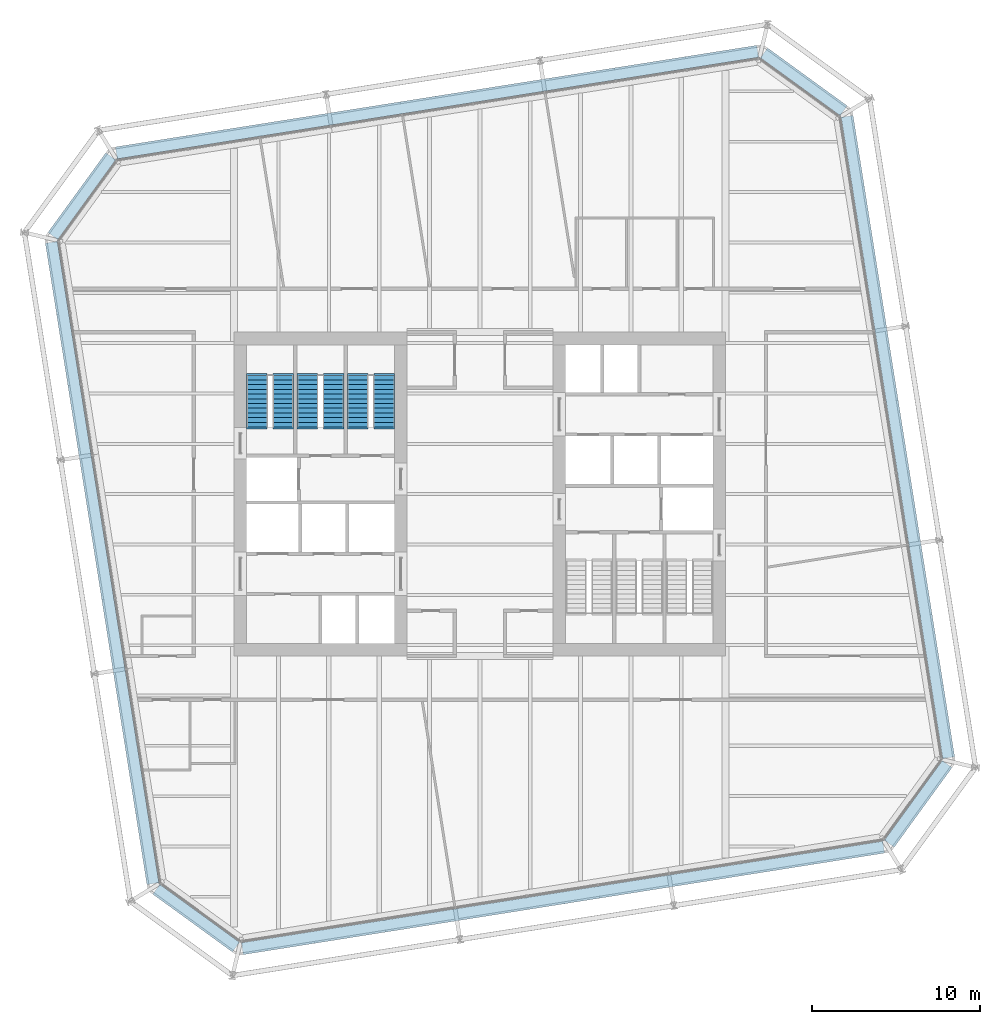
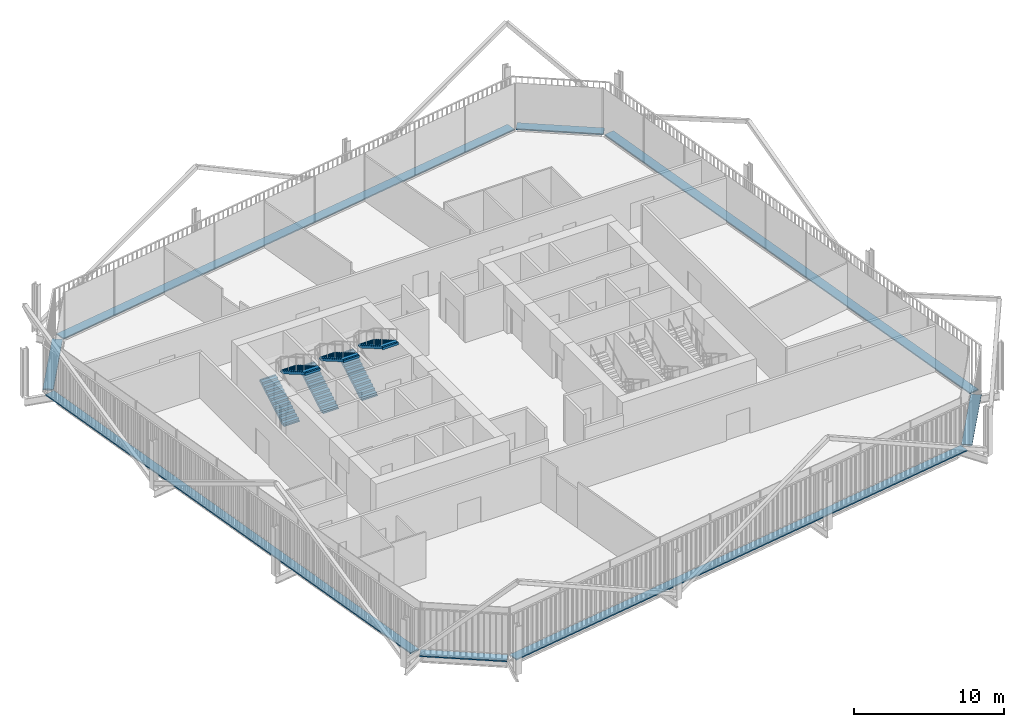
# One storey, part 21 of 22: 8 discrete accessories, 6 stair flights, 3 elements without a shape of their own.
"""IFC4 building model written with IfcOpenShell, lengths in metres."""

from ifc_helpers import new_model, si_unit, direction, frame, origin, origin_2d, place, context, subcontext, project, spatial, polyline, rectangle, outline, extrude, material, type_object, element, aggregate, save


model = new_model("IFC4")

# Units and contexts
model_context = context("Model", 3, precision=1e-05, world=origin(), true_north=direction((0.0, 1.0)))
body_context = subcontext(model_context, "Body", "Model", "MODEL_VIEW")
ifc_project = project(units=[si_unit("LENGTHUNIT", "METRE"), si_unit("AREAUNIT", "SQUARE_METRE"), si_unit("VOLUMEUNIT", "CUBIC_METRE"), si_unit("PLANEANGLEUNIT", "RADIAN"), si_unit("MASSUNIT", "GRAM", prefix="KILO")], contexts=[model_context])

# Site, building, storey
site_placement = place(None, origin())
site = spatial("IfcSite", under=ifc_project, at=site_placement, CompositionType="ELEMENT")
building_placement = place(site_placement, origin())
building = spatial("IfcBuilding", under=site, at=building_placement, Name="Millrace Tower", CompositionType="ELEMENT")
storey_placement = place(building_placement, frame((0.0, 0.0, 160.699951171875)))
storey = spatial("IfcBuildingStorey", under=building, at=storey_placement, Name="L36", CompositionType="ELEMENT", Elevation=160.699951171875)

# Stair, stair flights
ifc_material_1 = material(Name="Concrete C35", Category="concrete")
stair_type = type_object("IfcStairType", Name="Exit stair", PredefinedType="HALF_TURN_STAIR", material=ifc_material_1)
placement = place(storey_placement, origin())
stair_1 = element("IfcStair", 1, at=placement, inside=storey, type_object=stair_type, Name="Stair 1 W L36", PredefinedType="HALF_TURN_STAIR")
ifc_material_2 = material(Name="Concrete C35", Category="concrete")
stair_flight_type = type_object("IfcStairFlightType", Name="Exit stair flight", PredefinedType="STRAIGHT", material=ifc_material_2)
stair_flight_1_placement = place(storey_placement, frame((-13.2900390625, 4.0, 0.0), z_axis=(0.0, 0.0, 1.0), x_axis=(0.0, 1.0, 0.0)))
stair_flight_1 = element("IfcStairFlight", 2, at=stair_flight_1_placement, type_object=stair_flight_type, Name="ST12 flight 1", NumberOfRisers=12, NumberOfTreads=11, PredefinedType="STRAIGHT", RiserHeight=0.1625, TreadLength=0.28, context=body_context, shape_type="SweptSolid", body=[
    extrude(outline(polyline([(-0.1201171875, -0.0400390625), (-0.1201171875, 0.0), (0.0, 0.0), (0.0, 0.16259765625), (0.280029296875, 0.16259765625), (0.280029296875, 0.324951171875), (0.56005859375, 0.324951171875), (0.56005859375, 0.487548828125), (0.840087890625, 0.487548828125), (0.840087890625, 0.64990234375), (1.1201171875, 0.64990234375), (1.1201171875, 0.8125), (1.39990234375, 0.8125), (1.39990234375, 0.97509765625), (1.679931640625, 0.97509765625), (1.679931640625, 1.137451171875), (1.9599609375, 1.137451171875), (1.9599609375, 1.300048828125), (2.239990234375, 1.300048828125), (2.239990234375, 1.46240234375), (2.52001953125, 1.46240234375), (2.52001953125, 1.625), (2.800048828125, 1.625), (2.800048828125, 1.78759765625), (3.080078125, 1.78759765625), (3.080078125, 1.8076171875), (3.199951171875, 1.8076171875), (3.199951171875, 1.6142578125), (3.080078125, 1.6142578125), (0.298583984375, 0.0), (0.298583984375, -0.0400390625), (-0.1201171875, -0.0400390625)])), frame((0.0, 0.60986328125, 0.0), z_axis=(0.0, -1.0, 0.0), x_axis=(1.0, 0.0, 0.0)), (0.0, 0.0, 1.0), 1.219970703125),
])
stair_flight_2_placement = place(storey_placement, frame((-11.7099609375, 7.080078125, 1.949951171875), z_axis=(0.0, 0.0, 1.0), x_axis=(0.0, -1.0, 0.0)))
stair_flight_2 = element("IfcStairFlight", 3, at=stair_flight_2_placement, type_object=stair_flight_type, Name="ST12 flight 2", NumberOfRisers=12, NumberOfTreads=11, PredefinedType="STRAIGHT", RiserHeight=0.1625, TreadLength=0.28, context=body_context, shape_type="SweptSolid", body=[
    extrude(outline(polyline([(-0.1201171875, -0.0400390625), (-0.1201171875, 0.0), (0.0, 0.0), (0.0, 0.16259765625), (0.280029296875, 0.16259765625), (0.280029296875, 0.324951171875), (0.56005859375, 0.324951171875), (0.56005859375, 0.487548828125), (0.840087890625, 0.487548828125), (0.840087890625, 0.64990234375), (1.1201171875, 0.64990234375), (1.1201171875, 0.8125), (1.39990234375, 0.8125), (1.39990234375, 0.97509765625), (1.679931640625, 0.97509765625), (1.679931640625, 1.137451171875), (1.9599609375, 1.137451171875), (1.9599609375, 1.300048828125), (2.239990234375, 1.300048828125), (2.239990234375, 1.46240234375), (2.52001953125, 1.46240234375), (2.52001953125, 1.625), (2.800048828125, 1.625), (2.800048828125, 1.78759765625), (3.080078125, 1.78759765625), (3.080078125, 1.8076171875), (3.199951171875, 1.8076171875), (3.199951171875, 1.6142578125), (3.080078125, 1.6142578125), (0.298583984375, 0.0), (0.298583984375, -0.0400390625), (-0.1201171875, -0.0400390625)])), frame((0.0, 0.60986328125, 0.0), z_axis=(0.0, -1.0, 0.0), x_axis=(1.0, 0.0, 0.0)), (0.0, 0.0, 1.0), 1.219970703125),
])
aggregate(stair_1, [stair_flight_1, stair_flight_2])

stair_2 = element("IfcStair", 4, at=placement, inside=storey, type_object=stair_type, Name="Stair 2 W L36", PredefinedType="HALF_TURN_STAIR")
stair_flight_3_placement = place(storey_placement, frame((-10.2900390625, 4.0, 0.0), z_axis=(0.0, 0.0, 1.0), x_axis=(0.0, 1.0, 0.0)))
stair_flight_3 = element("IfcStairFlight", 5, at=stair_flight_3_placement, type_object=stair_flight_type, Name="ST12 flight 1", NumberOfRisers=12, NumberOfTreads=11, PredefinedType="STRAIGHT", RiserHeight=0.1625, TreadLength=0.28, context=body_context, shape_type="SweptSolid", body=[
    extrude(outline(polyline([(-0.1201171875, -0.0400390625), (-0.1201171875, 0.0), (0.0, 0.0), (0.0, 0.16259765625), (0.280029296875, 0.16259765625), (0.280029296875, 0.324951171875), (0.56005859375, 0.324951171875), (0.56005859375, 0.487548828125), (0.840087890625, 0.487548828125), (0.840087890625, 0.64990234375), (1.1201171875, 0.64990234375), (1.1201171875, 0.8125), (1.39990234375, 0.8125), (1.39990234375, 0.97509765625), (1.679931640625, 0.97509765625), (1.679931640625, 1.137451171875), (1.9599609375, 1.137451171875), (1.9599609375, 1.300048828125), (2.239990234375, 1.300048828125), (2.239990234375, 1.46240234375), (2.52001953125, 1.46240234375), (2.52001953125, 1.625), (2.800048828125, 1.625), (2.800048828125, 1.78759765625), (3.080078125, 1.78759765625), (3.080078125, 1.8076171875), (3.199951171875, 1.8076171875), (3.199951171875, 1.6142578125), (3.080078125, 1.6142578125), (0.298583984375, 0.0), (0.298583984375, -0.0400390625), (-0.1201171875, -0.0400390625)])), frame((0.0, 0.60986328125, 0.0), z_axis=(0.0, -1.0, 0.0), x_axis=(1.0, 0.0, 0.0)), (0.0, 0.0, 1.0), 1.219970703125),
])
stair_flight_4_placement = place(storey_placement, frame((-8.7099609375, 7.080078125, 1.949951171875), z_axis=(0.0, 0.0, 1.0), x_axis=(0.0, -1.0, 0.0)))
stair_flight_4 = element("IfcStairFlight", 6, at=stair_flight_4_placement, type_object=stair_flight_type, Name="ST12 flight 2", NumberOfRisers=12, NumberOfTreads=11, PredefinedType="STRAIGHT", RiserHeight=0.1625, TreadLength=0.28, context=body_context, shape_type="SweptSolid", body=[
    extrude(outline(polyline([(-0.1201171875, -0.0400390625), (-0.1201171875, 0.0), (0.0, 0.0), (0.0, 0.16259765625), (0.280029296875, 0.16259765625), (0.280029296875, 0.324951171875), (0.56005859375, 0.324951171875), (0.56005859375, 0.487548828125), (0.840087890625, 0.487548828125), (0.840087890625, 0.64990234375), (1.1201171875, 0.64990234375), (1.1201171875, 0.8125), (1.39990234375, 0.8125), (1.39990234375, 0.97509765625), (1.679931640625, 0.97509765625), (1.679931640625, 1.137451171875), (1.9599609375, 1.137451171875), (1.9599609375, 1.300048828125), (2.239990234375, 1.300048828125), (2.239990234375, 1.46240234375), (2.52001953125, 1.46240234375), (2.52001953125, 1.625), (2.800048828125, 1.625), (2.800048828125, 1.78759765625), (3.080078125, 1.78759765625), (3.080078125, 1.8076171875), (3.199951171875, 1.8076171875), (3.199951171875, 1.6142578125), (3.080078125, 1.6142578125), (0.298583984375, 0.0), (0.298583984375, -0.0400390625), (-0.1201171875, -0.0400390625)])), frame((0.0, 0.60986328125, 0.0), z_axis=(0.0, -1.0, 0.0), x_axis=(1.0, 0.0, 0.0)), (0.0, 0.0, 1.0), 1.219970703125),
])
aggregate(stair_2, [stair_flight_3, stair_flight_4])

stair_3 = element("IfcStair", 7, at=placement, inside=storey, type_object=stair_type, Name="Stair 3 W L36", PredefinedType="HALF_TURN_STAIR")
stair_flight_5_placement = place(storey_placement, frame((-7.2900390625, 4.0, 0.0), z_axis=(0.0, 0.0, 1.0), x_axis=(0.0, 1.0, 0.0)))
stair_flight_5 = element("IfcStairFlight", 8, at=stair_flight_5_placement, type_object=stair_flight_type, Name="ST12 flight 1", NumberOfRisers=12, NumberOfTreads=11, PredefinedType="STRAIGHT", RiserHeight=0.1625, TreadLength=0.28, context=body_context, shape_type="SweptSolid", body=[
    extrude(outline(polyline([(-0.1201171875, -0.0400390625), (-0.1201171875, 0.0), (0.0, 0.0), (0.0, 0.16259765625), (0.280029296875, 0.16259765625), (0.280029296875, 0.324951171875), (0.56005859375, 0.324951171875), (0.56005859375, 0.487548828125), (0.840087890625, 0.487548828125), (0.840087890625, 0.64990234375), (1.1201171875, 0.64990234375), (1.1201171875, 0.8125), (1.39990234375, 0.8125), (1.39990234375, 0.97509765625), (1.679931640625, 0.97509765625), (1.679931640625, 1.137451171875), (1.9599609375, 1.137451171875), (1.9599609375, 1.300048828125), (2.239990234375, 1.300048828125), (2.239990234375, 1.46240234375), (2.52001953125, 1.46240234375), (2.52001953125, 1.625), (2.800048828125, 1.625), (2.800048828125, 1.78759765625), (3.080078125, 1.78759765625), (3.080078125, 1.8076171875), (3.199951171875, 1.8076171875), (3.199951171875, 1.6142578125), (3.080078125, 1.6142578125), (0.298583984375, 0.0), (0.298583984375, -0.0400390625), (-0.1201171875, -0.0400390625)])), frame((0.0, 0.60986328125, 0.0), z_axis=(0.0, -1.0, 0.0), x_axis=(1.0, 0.0, 0.0)), (0.0, 0.0, 1.0), 1.219970703125),
])
stair_flight_6_placement = place(storey_placement, frame((-5.7099609375, 7.080078125, 1.949951171875), z_axis=(0.0, 0.0, 1.0), x_axis=(0.0, -1.0, 0.0)))
stair_flight_6 = element("IfcStairFlight", 9, at=stair_flight_6_placement, type_object=stair_flight_type, Name="ST12 flight 2", NumberOfRisers=12, NumberOfTreads=11, PredefinedType="STRAIGHT", RiserHeight=0.1625, TreadLength=0.28, context=body_context, shape_type="SweptSolid", body=[
    extrude(outline(polyline([(-0.1201171875, -0.0400390625), (-0.1201171875, 0.0), (0.0, 0.0), (0.0, 0.16259765625), (0.280029296875, 0.16259765625), (0.280029296875, 0.324951171875), (0.56005859375, 0.324951171875), (0.56005859375, 0.487548828125), (0.840087890625, 0.487548828125), (0.840087890625, 0.64990234375), (1.1201171875, 0.64990234375), (1.1201171875, 0.8125), (1.39990234375, 0.8125), (1.39990234375, 0.97509765625), (1.679931640625, 0.97509765625), (1.679931640625, 1.137451171875), (1.9599609375, 1.137451171875), (1.9599609375, 1.300048828125), (2.239990234375, 1.300048828125), (2.239990234375, 1.46240234375), (2.52001953125, 1.46240234375), (2.52001953125, 1.625), (2.800048828125, 1.625), (2.800048828125, 1.78759765625), (3.080078125, 1.78759765625), (3.080078125, 1.8076171875), (3.199951171875, 1.8076171875), (3.199951171875, 1.6142578125), (3.080078125, 1.6142578125), (0.298583984375, 0.0), (0.298583984375, -0.0400390625), (-0.1201171875, -0.0400390625)])), frame((0.0, 0.60986328125, 0.0), z_axis=(0.0, -1.0, 0.0), x_axis=(1.0, 0.0, 0.0)), (0.0, 0.0, 1.0), 1.219970703125),
])
aggregate(stair_3, [stair_flight_5, stair_flight_6])

# Discrete accessories
ifc_material_3 = material(Name="Stainless steel ASTM A240 type 316", Category="steel")
discrete_accessory_type = type_object("IfcDiscreteAccessoryType", Name="Thermally broken screen support rail", PredefinedType="BRACKET", material=ifc_material_3)
discrete_accessory_1_placement = place(storey_placement, frame((-16.909423828125, -25.275390625, 0.0), z_axis=(0.0, 0.0, 1.0), x_axis=(0.809016981623, -0.587785269844, 0.0)))
element("IfcDiscreteAccessory", 10, at=discrete_accessory_1_placement, inside=storey, type_object=discrete_accessory_type, Name="Thermally broken screen support rail C-F01 L36 1", PredefinedType="BRACKET", context=body_context, shape_type="SweptSolid", body=[
    extrude(rectangle(XDim=5.868896484375, YDim=0.719970703125, at=origin_2d()), origin(), (0.0, 0.0, 1.0), 0.10009765625),
])
discrete_accessory_2_placement = place(storey_placement, frame((4.9560546875, -24.064453125, 0.0), z_axis=(0.0, 0.0, 1.0), x_axis=(0.98768833929, 0.15643447328, 0.0)))
element("IfcDiscreteAccessory", 11, at=discrete_accessory_2_placement, inside=storey, type_object=discrete_accessory_type, Name="Thermally broken screen support rail C-F02 L36 1", PredefinedType="BRACKET", context=body_context, shape_type="SweptSolid", body=[
    extrude(rectangle(XDim=38.699951171875, YDim=0.719970703125, at=origin_2d()), origin(), (0.0, 0.0, 1.0), 0.10009765625),
])
discrete_accessory_3_placement = place(storey_placement, frame((26.12548828125, -18.45947265625, 0.0), z_axis=(0.0, 0.0, 1.0), x_axis=(0.587785269844, 0.809016981623, 0.0)))
element("IfcDiscreteAccessory", 12, at=discrete_accessory_3_placement, inside=storey, type_object=discrete_accessory_type, Name="Thermally broken screen support rail C-F03 L36 1", PredefinedType="BRACKET", context=body_context, shape_type="SweptSolid", body=[
    extrude(rectangle(XDim=5.868896484375, YDim=0.719970703125, at=origin_2d()), origin(), (0.0, 0.0, 1.0), 0.10009765625),
])
discrete_accessory_4_placement = place(storey_placement, frame((24.914306640625, 3.406005859375, 0.0), z_axis=(0.0, 0.0, 1.0), x_axis=(-0.15643447328, 0.98768833929, 0.0)))
element("IfcDiscreteAccessory", 13, at=discrete_accessory_4_placement, inside=storey, type_object=discrete_accessory_type, Name="Thermally broken screen support rail C-F04 L36 1", PredefinedType="BRACKET", context=body_context, shape_type="SweptSolid", body=[
    extrude(rectangle(XDim=38.699951171875, YDim=0.719970703125, at=origin_2d()), origin(), (0.0, 0.0, 1.0), 0.10009765625),
])
discrete_accessory_5_placement = place(storey_placement, frame((19.309326171875, 24.575439453125, 0.0), z_axis=(0.0, 0.0, 1.0), x_axis=(-0.809016981623, 0.587785269844, 0.0)))
element("IfcDiscreteAccessory", 14, at=discrete_accessory_5_placement, inside=storey, type_object=discrete_accessory_type, Name="Thermally broken screen support rail C-F05 L36 1", PredefinedType="BRACKET", context=body_context, shape_type="SweptSolid", body=[
    extrude(rectangle(XDim=5.868896484375, YDim=0.719970703125, at=origin_2d()), origin(), (0.0, 0.0, 1.0), 0.10009765625),
])
discrete_accessory_6_placement = place(storey_placement, frame((-2.555908203125, 23.364501953125, 0.0), z_axis=(0.0, 0.0, 1.0), x_axis=(-0.98768833929, -0.15643447328, 0.0)))
element("IfcDiscreteAccessory", 15, at=discrete_accessory_6_placement, inside=storey, type_object=discrete_accessory_type, Name="Thermally broken screen support rail C-F06 L36 1", PredefinedType="BRACKET", context=body_context, shape_type="SweptSolid", body=[
    extrude(rectangle(XDim=38.699951171875, YDim=0.719970703125, at=origin_2d()), origin(), (0.0, 0.0, 1.0), 0.10009765625),
])
discrete_accessory_7_placement = place(storey_placement, frame((-23.725341796875, 17.75927734375, 0.0), z_axis=(0.0, 0.0, 1.0), x_axis=(-0.587785269844, -0.809016981623, 0.0)))
element("IfcDiscreteAccessory", 16, at=discrete_accessory_7_placement, inside=storey, type_object=discrete_accessory_type, Name="Thermally broken screen support rail C-F07 L36 1", PredefinedType="BRACKET", context=body_context, shape_type="SweptSolid", body=[
    extrude(rectangle(XDim=5.868896484375, YDim=0.719970703125, at=origin_2d()), origin(), (0.0, 0.0, 1.0), 0.10009765625),
])
discrete_accessory_8_placement = place(storey_placement, frame((-22.514404296875, -4.10595703125, 0.0), z_axis=(0.0, 0.0, 1.0), x_axis=(0.15643447328, -0.98768833929, 0.0)))
element("IfcDiscreteAccessory", 17, at=discrete_accessory_8_placement, inside=storey, type_object=discrete_accessory_type, Name="Thermally broken screen support rail C-F08 L36 1", PredefinedType="BRACKET", context=body_context, shape_type="SweptSolid", body=[
    extrude(rectangle(XDim=38.699951171875, YDim=0.719970703125, at=origin_2d()), origin(), (0.0, 0.0, 1.0), 0.10009765625),
])

save(model, "model.ifc")
